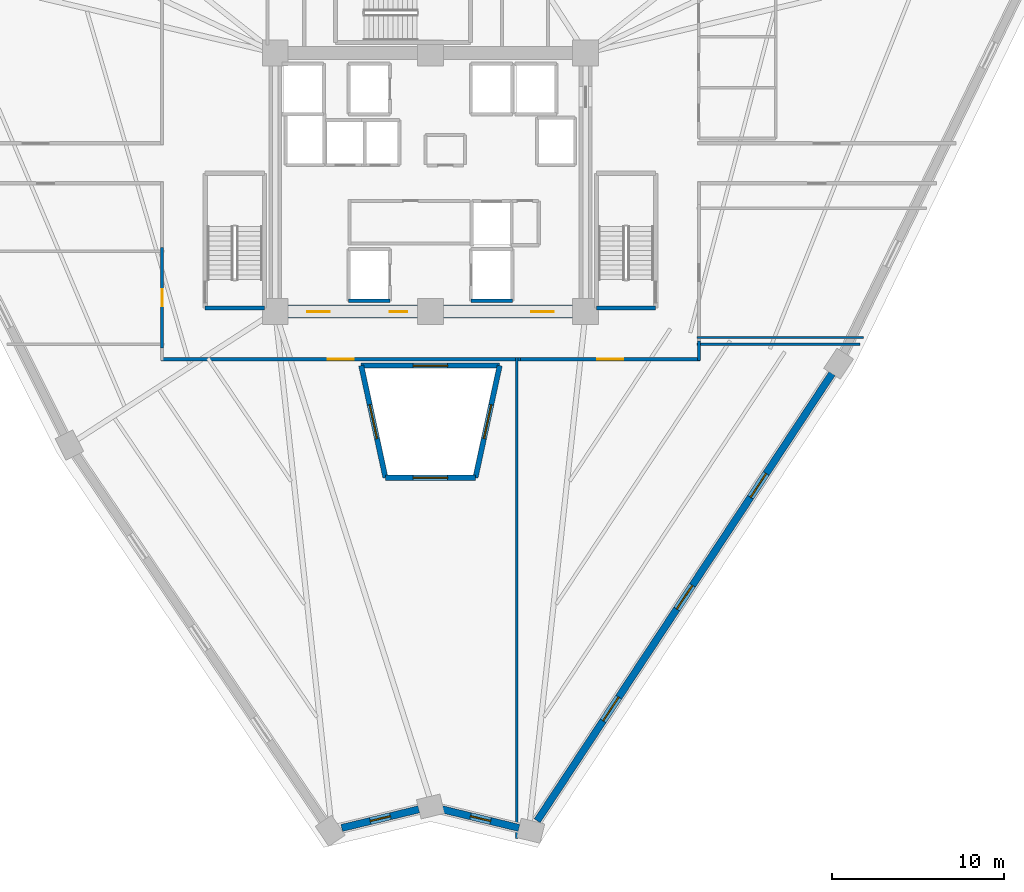
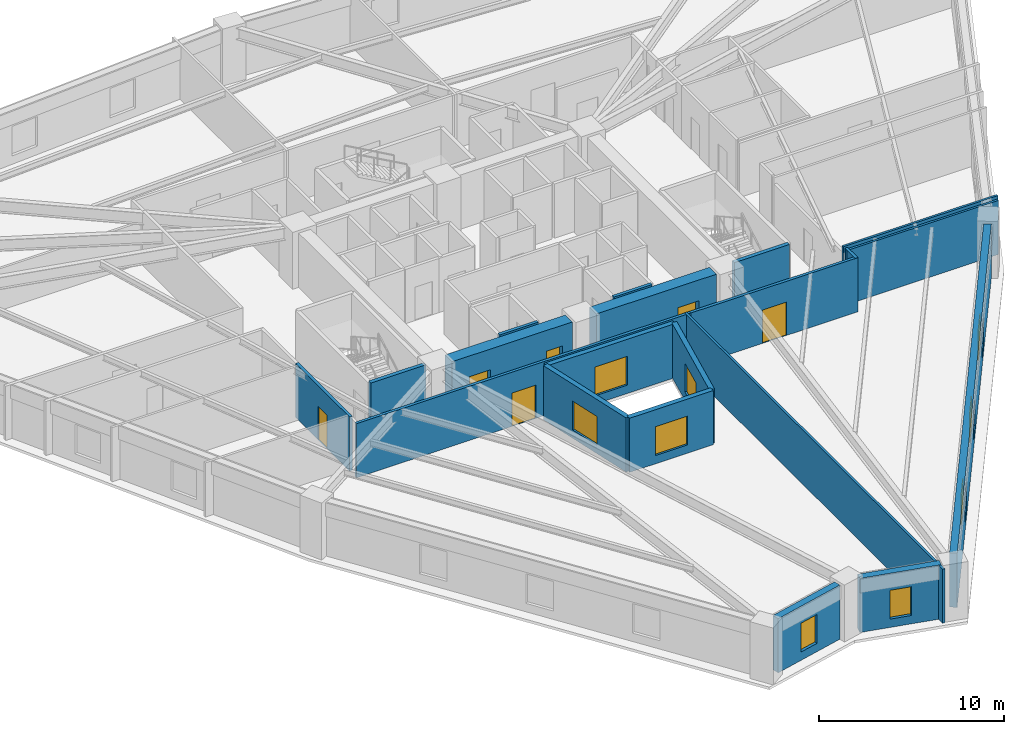
# One storey, part 3 of 8: 20 walls, 9 windows, 6 doors, 15 openings.
"""IFC4 building model written with IfcOpenShell, lengths in metres."""

from ifc_helpers import new_model, si_unit, direction, frame, frame_2d, origin, place, context, subcontext, project, spatial, rectangle, extrude, source, transform, mapped, material, layer, layer_set, type_object, element, fill, save


model = new_model("IFC4")

# Units and contexts
model_context = context("Model", 3, precision=1e-05, world=origin(), true_north=direction((0.0, 1.0)))
body_context = subcontext(model_context, "Body", "Model", "MODEL_VIEW")
ifc_project = project(units=[si_unit("LENGTHUNIT", "METRE"), si_unit("AREAUNIT", "SQUARE_METRE"), si_unit("VOLUMEUNIT", "CUBIC_METRE"), si_unit("PLANEANGLEUNIT", "RADIAN"), si_unit("MASSUNIT", "GRAM", prefix="KILO")], contexts=[model_context])

# Site, building, storey
site_placement = place(None, origin())
site = spatial("IfcSite", under=ifc_project, at=site_placement, CompositionType="ELEMENT")
building_placement = place(site_placement, origin())
building = spatial("IfcBuilding", under=site, at=building_placement, Name="Liaohun Quay Tower", CompositionType="ELEMENT")
storey_placement = place(building_placement, frame((0.0, 0.0, 151.5)))
storey = spatial("IfcBuildingStorey", under=building, at=storey_placement, Name="L39", CompositionType="ELEMENT", Elevation=151.5)

# Wall, opening, window
ifc_material_1 = material(Name="Concrete C50", Category="concrete")
ifc_layer_1 = layer(ifc_material_1, 0.300048828125, Name="Concrete C50", Category="concrete")
ifc_layer_set_1 = layer_set([ifc_layer_1], Name="Concrete C50")
wall_type_1 = type_object("IfcWallType", Name="WAL-ATR-300", PredefinedType="SOLIDWALL", material=ifc_layer_set_1)
wall_1_placement = place(storey_placement, frame((57.389892578125, 36.868896484375, 0.0), z_axis=(0.0, 0.0, 1.0), x_axis=(-0.21138112539, 0.97740371384, 0.0)))
wall_1 = element("IfcWall", 1, at=wall_1_placement, inside=storey, type_object=wall_type_1, Name="L39 Atrium Fire Compartment Wall 1", PredefinedType="SOLIDWALL", context=body_context, shape_type="SweptSolid", body=[
    extrude(rectangle(XDim=6.651611328125, YDim=0.300048828125, at=frame_2d((3.32568359375, 0.0))), origin(), (0.0, 0.0, 1.0), 3.570068359375),
])
shared_shape_1 = source(origin(), body_context, "Body", "SweptSolid", [
    extrude(rectangle(XDim=2.0, YDim=1.89990234375, at=frame_2d((1.0, 0.949951171875))), frame((0.0, 0.159912109375, 0.0), z_axis=(0.0, -1.0, 0.0), x_axis=(1.0, 0.0, 0.0)), (0.0, 0.0, 1.0), 0.320068359375),
])
opening_1_placement = place(wall_1_placement, frame((2.325927734375, 0.0, 0.550048828125)))
opening_1 = element("IfcOpeningElement", 2, at=opening_1_placement, cuts=wall_1, Name="Opening W07", PredefinedType="OPENING", context=body_context, shape_type="MappedRepresentation", body=[
    mapped(shared_shape_1, transform((0.0, 0.0, 0.0), x_axis=(1.0, 0.0, 0.0), y_axis=(0.0, 1.0, 0.0), z_axis=(0.0, 0.0, 1.0), scale=1.0)),
])
ifc_material_2 = material(Name="Class A 180-min fire-resistant insulated glazing", Category="glass")
window_type_1 = type_object("IfcWindowType", Name="WIN-ATR-FIR", PartitioningType="DOUBLE_PANEL_VERTICAL", PredefinedType="WINDOW", material=ifc_material_2)
shared_shape_2 = source(origin(), body_context, "Body", "SweptSolid", [
    extrude(rectangle(XDim=2.0, YDim=1.89990234375, at=frame_2d((1.0, 0.949951171875))), frame((0.0, 0.030029296875, 0.0), z_axis=(0.0, -1.0, 0.0), x_axis=(1.0, 0.0, 0.0)), (0.0, 0.0, 1.0), 0.06005859375),
])
window_1_placement = place(opening_1_placement, origin())
window_1 = element("IfcWindow", 3, at=window_1_placement, inside=storey, type_object=window_type_1, Name="L39 Atrium Fire-Resistant Glazing W07-1", OverallHeight=1.89990234375, OverallWidth=2.0, PartitioningType="DOUBLE_PANEL_VERTICAL", PredefinedType="WINDOW", context=body_context, shape_type="MappedRepresentation", body=[
    mapped(shared_shape_2, transform((0.0, 0.0, 0.0), x_axis=(1.0, 0.0, 0.0), y_axis=(0.0, 1.0, 0.0), z_axis=(0.0, 0.0, 1.0), scale=1.0)),
])
fill(opening_1, window_1)

wall_2_placement = place(storey_placement, frame((55.98388671875, 43.3701171875, 0.0), z_axis=(0.0, 0.0, 1.0), x_axis=(1.0, 0.0, 0.0)))
wall_2 = element("IfcWall", 4, at=wall_2_placement, inside=storey, type_object=wall_type_1, Name="L39 Atrium Fire Compartment Wall 2", PredefinedType="SOLIDWALL", context=body_context, shape_type="SweptSolid", body=[
    extrude(rectangle(XDim=8.0322265625, YDim=0.300048828125, at=frame_2d((4.01611328125, 0.0))), origin(), (0.0, 0.0, 1.0), 3.570068359375),
])
opening_2_placement = place(wall_2_placement, frame((3.01611328125, 0.0, 0.550048828125)))
opening_2 = element("IfcOpeningElement", 5, at=opening_2_placement, cuts=wall_2, Name="Opening W07", PredefinedType="OPENING", context=body_context, shape_type="MappedRepresentation", body=[
    mapped(shared_shape_1, transform((0.0, 0.0, 0.0), x_axis=(1.0, 0.0, 0.0), y_axis=(0.0, 1.0, 0.0), z_axis=(0.0, 0.0, 1.0), scale=1.0)),
])
window_2_placement = place(opening_2_placement, origin())
window_2 = element("IfcWindow", 6, at=window_2_placement, inside=storey, type_object=window_type_1, Name="L39 Atrium Fire-Resistant Glazing W07-2", OverallHeight=1.89990234375, OverallWidth=2.0, PartitioningType="DOUBLE_PANEL_VERTICAL", PredefinedType="WINDOW", context=body_context, shape_type="MappedRepresentation", body=[
    mapped(shared_shape_2, transform((0.0, 0.0, 0.0), x_axis=(1.0, 0.0, 0.0), y_axis=(0.0, 1.0, 0.0), z_axis=(0.0, 0.0, 1.0), scale=1.0)),
])
fill(opening_2, window_2)

wall_3_placement = place(storey_placement, frame((64.01611328125, 43.3701171875, 0.0), z_axis=(0.0, 0.0, 1.0), x_axis=(-0.21138112539, -0.97740371384, 0.0)))
wall_3 = element("IfcWall", 7, at=wall_3_placement, inside=storey, type_object=wall_type_1, Name="L39 Atrium Fire Compartment Wall 3", PredefinedType="SOLIDWALL", context=body_context, shape_type="SweptSolid", body=[
    extrude(rectangle(XDim=6.651611328125, YDim=0.300048828125, at=frame_2d((3.32568359375, 0.0))), origin(), (0.0, 0.0, 1.0), 3.570068359375),
])
opening_3_placement = place(wall_3_placement, frame((2.325927734375, 0.0, 0.550048828125)))
opening_3 = element("IfcOpeningElement", 8, at=opening_3_placement, cuts=wall_3, Name="Opening W07", PredefinedType="OPENING", context=body_context, shape_type="MappedRepresentation", body=[
    mapped(shared_shape_1, transform((0.0, 0.0, 0.0), x_axis=(1.0, 0.0, 0.0), y_axis=(0.0, 1.0, 0.0), z_axis=(0.0, 0.0, 1.0), scale=1.0)),
])
window_3_placement = place(opening_3_placement, origin())
window_3 = element("IfcWindow", 9, at=window_3_placement, inside=storey, type_object=window_type_1, Name="L39 Atrium Fire-Resistant Glazing W07-3", OverallHeight=1.89990234375, OverallWidth=2.0, PartitioningType="DOUBLE_PANEL_VERTICAL", PredefinedType="WINDOW", context=body_context, shape_type="MappedRepresentation", body=[
    mapped(shared_shape_2, transform((0.0, 0.0, 0.0), x_axis=(1.0, 0.0, 0.0), y_axis=(0.0, 1.0, 0.0), z_axis=(0.0, 0.0, 1.0), scale=1.0)),
])
fill(opening_3, window_3)

wall_4_placement = place(storey_placement, frame((62.610107421875, 36.868896484375, 0.0), z_axis=(0.0, 0.0, 1.0), x_axis=(-1.0, 0.0, 0.0)))
wall_4 = element("IfcWall", 10, at=wall_4_placement, inside=storey, type_object=wall_type_1, Name="L39 Atrium Fire Compartment Wall 4", PredefinedType="SOLIDWALL", context=body_context, shape_type="SweptSolid", body=[
    extrude(rectangle(XDim=5.22021484375, YDim=0.300048828125, at=frame_2d((2.610107421875, 0.0))), origin(), (0.0, 0.0, 1.0), 3.570068359375),
])
opening_4_placement = place(wall_4_placement, frame((1.610107421875, 0.0, 0.550048828125)))
opening_4 = element("IfcOpeningElement", 11, at=opening_4_placement, cuts=wall_4, Name="Opening W07", PredefinedType="OPENING", context=body_context, shape_type="MappedRepresentation", body=[
    mapped(shared_shape_1, transform((0.0, 0.0, 0.0), x_axis=(1.0, 0.0, 0.0), y_axis=(0.0, 1.0, 0.0), z_axis=(0.0, 0.0, 1.0), scale=1.0)),
])
window_4_placement = place(opening_4_placement, origin())
window_4 = element("IfcWindow", 12, at=window_4_placement, inside=storey, type_object=window_type_1, Name="L39 Atrium Fire-Resistant Glazing W07-4", OverallHeight=1.89990234375, OverallWidth=2.0, PartitioningType="DOUBLE_PANEL_VERTICAL", PredefinedType="WINDOW", context=body_context, shape_type="MappedRepresentation", body=[
    mapped(shared_shape_2, transform((0.0, 0.0, 0.0), x_axis=(1.0, 0.0, 0.0), y_axis=(0.0, 1.0, 0.0), z_axis=(0.0, 0.0, 1.0), scale=1.0)),
])
fill(opening_4, window_4)

# Wall, opening, door
ifc_material_3 = material(Name="Concrete C60", Category="concrete")
ifc_layer_2 = layer(ifc_material_3, 0.75, Name="Concrete C60", Category="concrete")
ifc_layer_set_2 = layer_set([ifc_layer_2], Name="Concrete C60")
wall_type_2 = type_object("IfcWallType", Name="WAL-COR-Z2", PredefinedType="SHEAR", material=ifc_layer_set_2)
wall_5_placement = place(storey_placement, frame((68.25, 46.5, 0.0), z_axis=(0.0, 0.0, 1.0), x_axis=(-1.0, 0.0, 0.0)))
wall_5 = element("IfcWall", 13, at=wall_5_placement, inside=storey, type_object=wall_type_2, Name="L39 Central Core Shear Wall S-E", PredefinedType="SHEAR", context=body_context, shape_type="SweptSolid", body=[
    extrude(rectangle(XDim=7.5, YDim=0.75, at=frame_2d((3.75, 0.0))), origin(), (0.0, 0.0, 1.0), 3.570068359375),
])
shared_shape_3 = source(origin(), body_context, "Body", "SweptSolid", [
    extrude(rectangle(XDim=1.300048828125, YDim=2.199951171875, at=frame_2d((0.64990234375, 1.10009765625))), frame((0.0, 0.385009765625, 0.0), z_axis=(0.0, -1.0, 0.0), x_axis=(1.0, 0.0, 0.0)), (0.0, 0.0, 1.0), 0.77001953125),
])
opening_5_placement = place(wall_5_placement, frame((1.10009765625, 0.0, 0.0)))
opening_5 = element("IfcOpeningElement", 14, at=opening_5_placement, cuts=wall_5, Name="Opening FD1", PredefinedType="OPENING", context=body_context, shape_type="MappedRepresentation", body=[
    mapped(shared_shape_3, transform((0.0, 0.0, 0.0), x_axis=(1.0, 0.0, 0.0), y_axis=(0.0, 1.0, 0.0), z_axis=(0.0, 0.0, 1.0), scale=1.0)),
])
ifc_material_4 = material(Name="Galvanised steel smokeproof fire door", Category="steel")
door_type_1 = type_object("IfcDoorType", Name="DOR-FFL-1300", OperationType="NOTDEFINED", PredefinedType="DOOR", material=ifc_material_4)
shared_shape_4 = source(origin(), body_context, "Body", "SweptSolid", [
    extrude(rectangle(XDim=1.300048828125, YDim=2.199951171875, at=frame_2d((0.64990234375, 1.10009765625))), frame((0.0, 0.02490234375, 0.0), z_axis=(0.0, -1.0, 0.0), x_axis=(1.0, 0.0, 0.0)), (0.0, 0.0, 1.0), 0.050048828125),
])
door_1_placement = place(opening_5_placement, origin())
door_1 = element("IfcDoor", 15, at=door_1_placement, inside=storey, type_object=door_type_1, Name="L39 East Core Lift Lobby Smokeproof Door", OperationType="SINGLE_SWING_LEFT", OverallHeight=2.199951171875, OverallWidth=1.300048828125, PredefinedType="DOOR", context=body_context, shape_type="MappedRepresentation", body=[
    mapped(shared_shape_4, transform((0.0, 0.0, 0.0), x_axis=(1.0, 0.0, 0.0), y_axis=(0.0, 1.0, 0.0), z_axis=(0.0, 0.0, 1.0), scale=1.0)),
])
fill(opening_5, door_1)

# Wall, openings, doors
wall_6_placement = place(storey_placement, frame((59.25, 46.5, 0.0), z_axis=(0.0, 0.0, 1.0), x_axis=(-1.0, 0.0, 0.0)))
wall_6 = element("IfcWall", 16, at=wall_6_placement, inside=storey, type_object=wall_type_2, Name="L39 Central Core Shear Wall S-W", PredefinedType="SHEAR", context=body_context, shape_type="SweptSolid", body=[
    extrude(rectangle(XDim=7.5, YDim=0.75, at=frame_2d((3.75, 0.0))), origin(), (0.0, 0.0, 1.0), 3.570068359375),
])
opening_6_placement = place(wall_6_placement, frame((5.10009765625, 0.0, 0.0)))
opening_6 = element("IfcOpeningElement", 17, at=opening_6_placement, cuts=wall_6, Name="Opening FD1", PredefinedType="OPENING", context=body_context, shape_type="MappedRepresentation", body=[
    mapped(shared_shape_3, transform((0.0, 0.0, 0.0), x_axis=(1.0, 0.0, 0.0), y_axis=(0.0, 1.0, 0.0), z_axis=(0.0, 0.0, 1.0), scale=1.0)),
])
shared_shape_5 = source(origin(), body_context, "Body", "SweptSolid", [
    extrude(rectangle(XDim=1.0, YDim=2.199951171875, at=frame_2d((0.5, 1.10009765625))), frame((0.0, 0.385009765625, 0.0), z_axis=(0.0, -1.0, 0.0), x_axis=(1.0, 0.0, 0.0)), (0.0, 0.0, 1.0), 0.77001953125),
])
opening_7_placement = place(wall_6_placement, frame((0.60009765625, 0.0, 0.0)))
opening_7 = element("IfcOpeningElement", 18, at=opening_7_placement, cuts=wall_6, Name="Opening FD2", PredefinedType="OPENING", context=body_context, shape_type="MappedRepresentation", body=[
    mapped(shared_shape_5, transform((0.0, 0.0, 0.0), x_axis=(1.0, 0.0, 0.0), y_axis=(0.0, 1.0, 0.0), z_axis=(0.0, 0.0, 1.0), scale=1.0)),
])
door_2_placement = place(opening_6_placement, origin())
door_2 = element("IfcDoor", 19, at=door_2_placement, inside=storey, type_object=door_type_1, Name="L39 West Core Lift Lobby Smokeproof Door", OperationType="SINGLE_SWING_RIGHT", OverallHeight=2.199951171875, OverallWidth=1.300048828125, PredefinedType="DOOR", context=body_context, shape_type="MappedRepresentation", body=[
    mapped(shared_shape_4, transform((0.0, 0.0, 0.0), x_axis=(1.0, 0.0, 0.0), y_axis=(0.0, 1.0, 0.0), z_axis=(0.0, 0.0, 1.0), scale=1.0)),
])
fill(opening_6, door_2)
ifc_material_5 = material(Name="Galvanised steel smokeproof lobby fire door", Category="steel")
door_type_2 = type_object("IfcDoorType", Name="DOR-FFL-1000", OperationType="NOTDEFINED", PredefinedType="DOOR", material=ifc_material_5)
shared_shape_6 = source(origin(), body_context, "Body", "SweptSolid", [
    extrude(rectangle(XDim=1.0, YDim=2.199951171875, at=frame_2d((0.5, 1.10009765625))), frame((0.0, 0.02490234375, 0.0), z_axis=(0.0, -1.0, 0.0), x_axis=(1.0, 0.0, 0.0)), (0.0, 0.0, 1.0), 0.050048828125),
])
door_3_placement = place(opening_7_placement, origin())
door_3 = element("IfcDoor", 20, at=door_3_placement, inside=storey, type_object=door_type_2, Name="L39 South Firefighting Lobby Smokeproof Door", OperationType="SINGLE_SWING_LEFT", OverallHeight=2.199951171875, OverallWidth=1.0, PredefinedType="DOOR", context=body_context, shape_type="MappedRepresentation", body=[
    mapped(shared_shape_6, transform((0.0, 0.0, 0.0), x_axis=(1.0, 0.0, 0.0), y_axis=(0.0, 1.0, 0.0), z_axis=(0.0, 0.0, 1.0), scale=1.0)),
])
fill(opening_7, door_3)

# Wall, opening, window
ifc_material_6 = material(Name="Precast concrete C50 insulated sandwich", Category="concrete")
ifc_layer_3 = layer(ifc_material_6, 0.419921875, Name="Precast concrete C50 insulated sandwich", Category="concrete")
ifc_layer_set_3 = layer_set([ifc_layer_3], Name="Precast concrete C50 insulated sandwich")
wall_type_3 = type_object("IfcWallType", Name="WAL-EXT-Z12", PredefinedType="SOLIDWALL", material=ifc_layer_set_3)
wall_7_placement = place(storey_placement, frame((60.6708984375, 17.639892578125, 0.0), z_axis=(0.0, 0.0, 1.0), x_axis=(0.972040399781, -0.234813673352, 0.0)))
wall_7 = element("IfcWall", 21, at=wall_7_placement, inside=storey, type_object=wall_type_3, Name="L39 Brutalist Precast Pier Wall 01", PredefinedType="SOLIDWALL", context=body_context, shape_type="SweptSolid", body=[
    extrude(rectangle(XDim=4.594482421875, YDim=0.419921875, at=frame_2d((2.29736328125, 0.0))), origin(), (0.0, 0.0, 1.0), 3.570068359375),
])
shared_shape_7 = source(origin(), body_context, "Body", "SweptSolid", [
    extrude(rectangle(XDim=1.199951171875, YDim=1.89990234375, at=frame_2d((0.60009765625, 0.949951171875))), frame((0.0, 0.219970703125, 0.0), z_axis=(0.0, -1.0, 0.0), x_axis=(1.0, 0.0, 0.0)), (0.0, 0.0, 1.0), 0.43994140625),
])
opening_8_placement = place(wall_7_placement, frame((1.697021484375, 0.0, 0.550048828125)))
opening_8 = element("IfcOpeningElement", 22, at=opening_8_placement, cuts=wall_7, Name="Opening W05", PredefinedType="OPENING", context=body_context, shape_type="MappedRepresentation", body=[
    mapped(shared_shape_7, transform((0.0, 0.0, 0.0), x_axis=(1.0, 0.0, 0.0), y_axis=(0.0, 1.0, 0.0), z_axis=(0.0, 0.0, 1.0), scale=1.0)),
])
ifc_material_7 = material(Name="Triple Low-E corner notch glazing", Category="glass")
window_type_2 = type_object("IfcWindowType", Name="WIN-NOTCH", PartitioningType="SINGLE_PANEL", PredefinedType="WINDOW", material=ifc_material_7)
shared_shape_8 = source(origin(), body_context, "Body", "SweptSolid", [
    extrude(rectangle(XDim=1.199951171875, YDim=1.89990234375, at=frame_2d((0.60009765625, 0.949951171875))), frame((0.0, 0.030029296875, 0.0), z_axis=(0.0, -1.0, 0.0), x_axis=(1.0, 0.0, 0.0)), (0.0, 0.0, 1.0), 0.06005859375),
])
window_5_placement = place(opening_8_placement, origin())
window_5 = element("IfcWindow", 23, at=window_5_placement, inside=storey, type_object=window_type_2, Name="L39 Corner Notch Window W05-01", OverallHeight=1.89990234375, OverallWidth=1.199951171875, PartitioningType="SINGLE_PANEL", PredefinedType="WINDOW", context=body_context, shape_type="MappedRepresentation", body=[
    mapped(shared_shape_8, transform((0.0, 0.0, 0.0), x_axis=(1.0, 0.0, 0.0), y_axis=(0.0, 1.0, 0.0), z_axis=(0.0, 0.0, 1.0), scale=1.0)),
])
fill(opening_8, window_5)

# Wall, openings, windows
wall_8_placement = place(storey_placement, frame((66.18798828125, 16.97509765625, 0.0), z_axis=(0.0, 0.0, 1.0), x_axis=(0.550486590195, 0.834844005797, 0.0)))
wall_8 = element("IfcWall", 24, at=wall_8_placement, inside=storey, type_object=wall_type_3, Name="L39 Brutalist Precast Pier Wall 02", PredefinedType="SOLIDWALL", context=body_context, shape_type="SweptSolid", body=[
    extrude(rectangle(XDim=31.0595703125, YDim=0.419921875, at=frame_2d((15.52978515625, 0.0))), origin(), (0.0, 0.0, 1.0), 3.570068359375),
])
shared_shape_9 = source(origin(), body_context, "Body", "SweptSolid", [
    extrude(rectangle(XDim=1.64990234375, YDim=1.949951171875, at=frame_2d((0.824951171875, 0.97509765625))), frame((0.0, 0.219970703125, 0.0), z_axis=(0.0, -1.0, 0.0), x_axis=(1.0, 0.0, 0.0)), (0.0, 0.0, 1.0), 0.43994140625),
])
opening_9_placement = place(wall_8_placement, frame((6.93994140625, 0.0, 0.550048828125)))
opening_9 = element("IfcOpeningElement", 25, at=opening_9_placement, cuts=wall_8, Name="Opening W02", PredefinedType="OPENING", context=body_context, shape_type="MappedRepresentation", body=[
    mapped(shared_shape_9, transform((0.0, 0.0, 0.0), x_axis=(1.0, 0.0, 0.0), y_axis=(0.0, 1.0, 0.0), z_axis=(0.0, 0.0, 1.0), scale=1.0)),
])
opening_10_placement = place(wall_8_placement, frame((14.705078125, 0.0, 0.550048828125)))
opening_10 = element("IfcOpeningElement", 26, at=opening_10_placement, cuts=wall_8, Name="Opening W02", PredefinedType="OPENING", context=body_context, shape_type="MappedRepresentation", body=[
    mapped(shared_shape_9, transform((0.0, 0.0, 0.0), x_axis=(1.0, 0.0, 0.0), y_axis=(0.0, 1.0, 0.0), z_axis=(0.0, 0.0, 1.0), scale=1.0)),
])
opening_11_placement = place(wall_8_placement, frame((22.469970703125, 0.0, 0.550048828125)))
opening_11 = element("IfcOpeningElement", 27, at=opening_11_placement, cuts=wall_8, Name="Opening W02", PredefinedType="OPENING", context=body_context, shape_type="MappedRepresentation", body=[
    mapped(shared_shape_9, transform((0.0, 0.0, 0.0), x_axis=(1.0, 0.0, 0.0), y_axis=(0.0, 1.0, 0.0), z_axis=(0.0, 0.0, 1.0), scale=1.0)),
])
ifc_material_8 = material(Name="Triple Low-E argon glazing in thermally broken aluminium", Category="aluminium")
window_type_3 = type_object("IfcWindowType", Name="WIN-PUN-Z2", PartitioningType="DOUBLE_PANEL_VERTICAL", PredefinedType="WINDOW", material=ifc_material_8)
shared_shape_10 = source(origin(), body_context, "Body", "SweptSolid", [
    extrude(rectangle(XDim=1.64990234375, YDim=1.949951171875, at=frame_2d((0.824951171875, 0.97509765625))), frame((0.0, 0.030029296875, 0.0), z_axis=(0.0, -1.0, 0.0), x_axis=(1.0, 0.0, 0.0)), (0.0, 0.0, 1.0), 0.06005859375),
])
window_6_placement = place(opening_9_placement, origin())
window_6 = element("IfcWindow", 28, at=window_6_placement, inside=storey, type_object=window_type_3, Name="L39 Recessed Cold-Climate Punched Window 02-1", OverallHeight=1.949951171875, OverallWidth=1.64990234375, PartitioningType="DOUBLE_PANEL_VERTICAL", PredefinedType="WINDOW", context=body_context, shape_type="MappedRepresentation", body=[
    mapped(shared_shape_10, transform((0.0, 0.0, 0.0), x_axis=(1.0, 0.0, 0.0), y_axis=(0.0, 1.0, 0.0), z_axis=(0.0, 0.0, 1.0), scale=1.0)),
])
fill(opening_9, window_6)
window_7_placement = place(opening_10_placement, origin())
window_7 = element("IfcWindow", 29, at=window_7_placement, inside=storey, type_object=window_type_3, Name="L39 Recessed Cold-Climate Punched Window 02-2", OverallHeight=1.949951171875, OverallWidth=1.64990234375, PartitioningType="DOUBLE_PANEL_VERTICAL", PredefinedType="WINDOW", context=body_context, shape_type="MappedRepresentation", body=[
    mapped(shared_shape_10, transform((0.0, 0.0, 0.0), x_axis=(1.0, 0.0, 0.0), y_axis=(0.0, 1.0, 0.0), z_axis=(0.0, 0.0, 1.0), scale=1.0)),
])
fill(opening_10, window_7)
window_8_placement = place(opening_11_placement, origin())
window_8 = element("IfcWindow", 30, at=window_8_placement, inside=storey, type_object=window_type_3, Name="L39 Recessed Cold-Climate Punched Window 02-3", OverallHeight=1.949951171875, OverallWidth=1.64990234375, PartitioningType="DOUBLE_PANEL_VERTICAL", PredefinedType="WINDOW", context=body_context, shape_type="MappedRepresentation", body=[
    mapped(shared_shape_10, transform((0.0, 0.0, 0.0), x_axis=(1.0, 0.0, 0.0), y_axis=(0.0, 1.0, 0.0), z_axis=(0.0, 0.0, 1.0), scale=1.0)),
])
fill(opening_11, window_8)

# Wall, opening, window
wall_9_placement = place(storey_placement, frame((54.85595703125, 16.56005859375, 0.0), z_axis=(0.0, 0.0, 1.0), x_axis=(0.972076783572, 0.234663006972, 0.0)))
wall_9 = element("IfcWall", 31, at=wall_9_placement, inside=storey, type_object=wall_type_3, Name="L39 Brutalist Precast Pier Wall 12", PredefinedType="SOLIDWALL", context=body_context, shape_type="SweptSolid", body=[
    extrude(rectangle(XDim=4.6015625, YDim=0.419921875, at=frame_2d((2.30078125, 0.0))), origin(), (0.0, 0.0, 1.0), 3.570068359375),
])
opening_12_placement = place(wall_9_placement, frame((1.700927734375, 0.0, 0.550048828125)))
opening_12 = element("IfcOpeningElement", 32, at=opening_12_placement, cuts=wall_9, Name="Opening W05", PredefinedType="OPENING", context=body_context, shape_type="MappedRepresentation", body=[
    mapped(shared_shape_7, transform((0.0, 0.0, 0.0), x_axis=(1.0, 0.0, 0.0), y_axis=(0.0, 1.0, 0.0), z_axis=(0.0, 0.0, 1.0), scale=1.0)),
])
window_9_placement = place(opening_12_placement, origin())
window_9 = element("IfcWindow", 33, at=window_9_placement, inside=storey, type_object=window_type_2, Name="L39 Corner Notch Window W05-12", OverallHeight=1.89990234375, OverallWidth=1.199951171875, PartitioningType="SINGLE_PANEL", PredefinedType="WINDOW", context=body_context, shape_type="MappedRepresentation", body=[
    mapped(shared_shape_8, transform((0.0, 0.0, 0.0), x_axis=(1.0, 0.0, 0.0), y_axis=(0.0, 1.0, 0.0), z_axis=(0.0, 0.0, 1.0), scale=1.0)),
])
fill(opening_12, window_9)

# Wall, opening, door
ifc_material_9 = material(Name="Autoclaved aerated concrete blockwork", Category="masonry")
ifc_layer_4 = layer(ifc_material_9, 0.179931640625, Name="Autoclaved aerated concrete blockwork", Category="masonry")
ifc_layer_set_4 = layer_set([ifc_layer_4], Name="Autoclaved aerated concrete blockwork")
wall_type_4 = type_object("IfcWallType", Name="WAL-PRT-COR", PredefinedType="PARTITIONING", material=ifc_layer_set_4)
wall_10_placement = place(storey_placement, frame((44.43994140625, 44.385009765625, 0.0), z_axis=(0.0, 0.0, 1.0), x_axis=(0.0, 1.0, 0.0)))
wall_10 = element("IfcWall", 34, at=wall_10_placement, inside=storey, type_object=wall_type_4, Name="L39 Interior Partition Wall 017", PredefinedType="PARTITIONING", context=body_context, shape_type="SweptSolid", body=[
    extrude(rectangle(XDim=5.830078125, YDim=0.179931640625, at=frame_2d((2.9150390625, 0.0))), origin(), (0.0, 0.0, 1.0), 3.570068359375),
])
shared_shape_11 = source(origin(), body_context, "Body", "SweptSolid", [
    extrude(rectangle(XDim=1.0, YDim=2.199951171875, at=frame_2d((0.5, 1.10009765625))), frame((0.0, 0.099853515625, 0.0), z_axis=(0.0, -1.0, 0.0), x_axis=(1.0, 0.0, 0.0)), (0.0, 0.0, 1.0), 0.199951171875),
])
opening_13_placement = place(wall_10_placement, frame((2.4150390625, 0.0, 0.0)))
opening_13 = element("IfcOpeningElement", 35, at=opening_13_placement, cuts=wall_10, Name="Opening OD1", PredefinedType="OPENING", context=body_context, shape_type="MappedRepresentation", body=[
    mapped(shared_shape_11, transform((0.0, 0.0, 0.0), x_axis=(1.0, 0.0, 0.0), y_axis=(0.0, 1.0, 0.0), z_axis=(0.0, 0.0, 1.0), scale=1.0)),
])
ifc_material_10 = material(Name="Solid-core oak veneer timber leaf in steel frame", Category="steel")
door_type_3 = type_object("IfcDoorType", Name="DOR-OFF-1000", OperationType="NOTDEFINED", PredefinedType="DOOR", material=ifc_material_10)
door_4_placement = place(opening_13_placement, origin())
door_4 = element("IfcDoor", 36, at=door_4_placement, inside=storey, type_object=door_type_3, Name="L39 Technical Reference Library 07 Door", OperationType="SINGLE_SWING_RIGHT", OverallHeight=2.199951171875, OverallWidth=1.0, PredefinedType="DOOR", context=body_context, shape_type="MappedRepresentation", body=[
    mapped(shared_shape_6, transform((0.0, 0.0, 0.0), x_axis=(1.0, 0.0, 0.0), y_axis=(0.0, 1.0, 0.0), z_axis=(0.0, 0.0, 1.0), scale=1.0)),
])
fill(opening_13, door_4)

wall_11_placement = place(storey_placement, frame((65.215087890625, 43.739990234375, 0.0), z_axis=(0.0, 0.0, 1.0), x_axis=(-1.0, 0.0, 0.0)))
wall_11 = element("IfcWall", 37, at=wall_11_placement, inside=storey, type_object=wall_type_4, Name="L39 Interior Partition Wall 018", PredefinedType="PARTITIONING", context=body_context, shape_type="SweptSolid", body=[
    extrude(rectangle(XDim=20.844970703125, YDim=0.179931640625, at=frame_2d((10.42236328125, 0.0))), origin(), (0.0, 0.0, 1.0), 3.570068359375),
])
shared_shape_12 = source(origin(), body_context, "Body", "SweptSolid", [
    extrude(rectangle(XDim=1.5, YDim=2.199951171875, at=frame_2d((0.75, 1.10009765625))), frame((0.0, 0.099853515625, 0.0), z_axis=(0.0, -1.0, 0.0), x_axis=(1.0, 0.0, 0.0)), (0.0, 0.0, 1.0), 0.199951171875),
])
opening_14_placement = place(wall_11_placement, frame((9.673095703125, 0.0, 0.0)))
opening_14 = element("IfcOpeningElement", 38, at=opening_14_placement, cuts=wall_11, Name="Opening OD2", PredefinedType="OPENING", context=body_context, shape_type="MappedRepresentation", body=[
    mapped(shared_shape_12, transform((0.0, 0.0, 0.0), x_axis=(1.0, 0.0, 0.0), y_axis=(0.0, 1.0, 0.0), z_axis=(0.0, 0.0, 1.0), scale=1.0)),
])
ifc_material_11 = material(Name="Acoustic oak veneer double door")
door_type_4 = type_object("IfcDoorType", Name="DOR-OFF-1500", OperationType="DOUBLE_DOOR_SINGLE_SWING", PredefinedType="DOOR", material=ifc_material_11)
shared_shape_13 = source(origin(), body_context, "Body", "SweptSolid", [
    extrude(rectangle(XDim=1.5, YDim=2.199951171875, at=frame_2d((0.75, 1.10009765625))), frame((0.0, 0.02490234375, 0.0), z_axis=(0.0, -1.0, 0.0), x_axis=(1.0, 0.0, 0.0)), (0.0, 0.0, 1.0), 0.050048828125),
])
door_5_placement = place(opening_14_placement, origin())
door_5 = element("IfcDoor", 39, at=door_5_placement, inside=storey, type_object=door_type_4, Name="L39 Occupational Wellness Clinic 08 Door", OperationType="DOUBLE_DOOR_SINGLE_SWING", OverallHeight=2.199951171875, OverallWidth=1.5, PredefinedType="DOOR", context=body_context, shape_type="MappedRepresentation", body=[
    mapped(shared_shape_13, transform((0.0, 0.0, 0.0), x_axis=(1.0, 0.0, 0.0), y_axis=(0.0, 1.0, 0.0), z_axis=(0.0, 0.0, 1.0), scale=1.0)),
])
fill(opening_14, door_5)

wall_12_placement = place(storey_placement, frame((75.6298828125, 43.739990234375, 0.0), z_axis=(0.0, 0.0, 1.0), x_axis=(-1.0, 0.0, 0.0)))
wall_12 = element("IfcWall", 40, at=wall_12_placement, inside=storey, type_object=wall_type_4, Name="L39 Interior Partition Wall 019", PredefinedType="PARTITIONING", context=body_context, shape_type="SweptSolid", body=[
    extrude(rectangle(XDim=10.414794921875, YDim=0.179931640625, at=frame_2d((5.20751953125, 0.0))), origin(), (0.0, 0.0, 1.0), 3.570068359375),
])
opening_15_placement = place(wall_12_placement, frame((4.45703125, 0.0, 0.0)))
opening_15 = element("IfcOpeningElement", 41, at=opening_15_placement, cuts=wall_12, Name="Opening OD2", PredefinedType="OPENING", context=body_context, shape_type="MappedRepresentation", body=[
    mapped(shared_shape_12, transform((0.0, 0.0, 0.0), x_axis=(1.0, 0.0, 0.0), y_axis=(0.0, 1.0, 0.0), z_axis=(0.0, 0.0, 1.0), scale=1.0)),
])
door_6_placement = place(opening_15_placement, origin())
door_6 = element("IfcDoor", 42, at=door_6_placement, inside=storey, type_object=door_type_4, Name="L39 Records Archive Store 09 Door", OperationType="DOUBLE_DOOR_SINGLE_SWING", OverallHeight=2.199951171875, OverallWidth=1.5, PredefinedType="DOOR", context=body_context, shape_type="MappedRepresentation", body=[
    mapped(shared_shape_13, transform((0.0, 0.0, 0.0), x_axis=(1.0, 0.0, 0.0), y_axis=(0.0, 1.0, 0.0), z_axis=(0.0, 0.0, 1.0), scale=1.0)),
])
fill(opening_15, door_6)

# Walls
wall_13_placement = place(storey_placement, frame((75.56005859375, 44.784912109375, 0.0), z_axis=(0.0, 0.0, 1.0), x_axis=(0.0, -1.0, 0.0)))
element("IfcWall", 43, at=wall_13_placement, inside=storey, type_object=wall_type_4, Name="L39 Interior Partition Wall 042", PredefinedType="PARTITIONING", context=body_context, shape_type="SweptSolid", body=[
    extrude(rectangle(XDim=1.114990234375, YDim=0.179931640625, at=frame_2d((0.5576171875, 0.0))), origin(), (0.0, 0.0, 1.0), 3.570068359375),
])
ifc_material_12 = material(Name="Gypsum board on twin steel studs", Category="steel")
ifc_layer_5 = layer(ifc_material_12, 0.139892578125, Name="Gypsum board on twin steel studs", Category="steel")
ifc_layer_set_5 = layer_set([ifc_layer_5], Name="Gypsum board on twin steel studs")
wall_type_5 = type_object("IfcWallType", Name="WAL-PRT-OFF", PredefinedType="PARTITIONING", material=ifc_layer_set_5)
wall_14_placement = place(storey_placement, frame((75.4599609375, 44.60009765625, 0.0), z_axis=(0.0, 0.0, 1.0), x_axis=(1.0, 0.0, 0.0)))
element("IfcWall", 44, at=wall_14_placement, inside=storey, type_object=wall_type_5, Name="L39 Interior Partition Wall 047", PredefinedType="PARTITIONING", context=body_context, shape_type="SweptSolid", body=[
    extrude(rectangle(XDim=9.450927734375, YDim=0.139892578125, at=frame_2d((4.7255859375, 0.0))), origin(), (0.0, 0.0, 1.0), 3.570068359375),
])
wall_15_placement = place(storey_placement, frame((75.4599609375, 45.0, 0.0), z_axis=(0.0, 0.0, 1.0), x_axis=(1.0, 0.0, 0.0)))
element("IfcWall", 45, at=wall_15_placement, inside=storey, type_object=wall_type_5, Name="L39 Interior Partition Wall 048", PredefinedType="PARTITIONING", context=body_context, shape_type="SweptSolid", body=[
    extrude(rectangle(XDim=9.64501953125, YDim=0.139892578125, at=frame_2d((4.822509765625, 0.0))), origin(), (0.0, 0.0, 1.0), 3.570068359375),
])
wall_16_placement = place(storey_placement, frame((65.0, 43.840087890625, 0.0), z_axis=(0.0, 0.0, 1.0), x_axis=(0.0, -1.0, 0.0)))
element("IfcWall", 46, at=wall_16_placement, inside=storey, type_object=wall_type_5, Name="L39 Interior Partition Wall 053", PredefinedType="PARTITIONING", context=body_context, shape_type="SweptSolid", body=[
    extrude(rectangle(XDim=27.89306640625, YDim=0.139892578125, at=frame_2d((13.946533203125, 0.0))), origin(), (0.0, 0.0, 1.0), 3.570068359375),
])
ifc_layer_6 = layer(ifc_material_1, 0.239990234375, Name="Concrete C50", Category="concrete")
ifc_layer_set_6 = layer_set([ifc_layer_6], Name="Concrete C50")
wall_type_6 = type_object("IfcWallType", Name="WAL-SHF-200", PredefinedType="SOLIDWALL", material=ifc_layer_set_6)
for number, where, z_axis, x_axis, name in (
    (47, (46.93994140625, 46.699951171875, 0.0), (0.0, 0.0, 1.0), (1.0, 0.0, 0.0), "L39 Stairwell ST-1 Structural Core Wall S"),
    (48, (69.6201171875, 46.699951171875, 0.0), (0.0, 0.0, 1.0), (1.0, 0.0, 0.0), "L39 Stairwell ST-2 Structural Core Wall S"),
):
    element("IfcWall", number, at=place(storey_placement, frame(where, z_axis=z_axis, x_axis=x_axis)), inside=storey, type_object=wall_type_6, Name=name, PredefinedType="SOLIDWALL", context=body_context, shape_type="SweptSolid", body=[
        extrude(rectangle(XDim=3.43994140625, YDim=0.239990234375, at=frame_2d((1.719970703125, 0.0))), origin(), (0.0, 0.0, 1.0), 3.570068359375),
    ])
for number, where, z_axis, x_axis, name in (
    (49, (55.25, 47.1201171875, 0.0), (0.0, 0.0, 1.0), (1.0, 0.0, 0.0), "L39 Lift FF-01 Hoistway Wall S"),
    (50, (62.35009765625, 47.1201171875, 0.0), (0.0, 0.0, 1.0), (1.0, 0.0, 0.0), "L39 Lift FF-02 Hoistway Wall S"),
):
    element("IfcWall", number, at=place(storey_placement, frame(where, z_axis=z_axis, x_axis=x_axis)), inside=storey, type_object=wall_type_6, Name=name, PredefinedType="SOLIDWALL", context=body_context, shape_type="SweptSolid", body=[
        extrude(rectangle(XDim=2.39990234375, YDim=0.199951171875, at=frame_2d((1.199951171875, 0.0))), origin(), (0.0, 0.0, 1.0), 3.570068359375),
    ])

save(model, "model.ifc")
